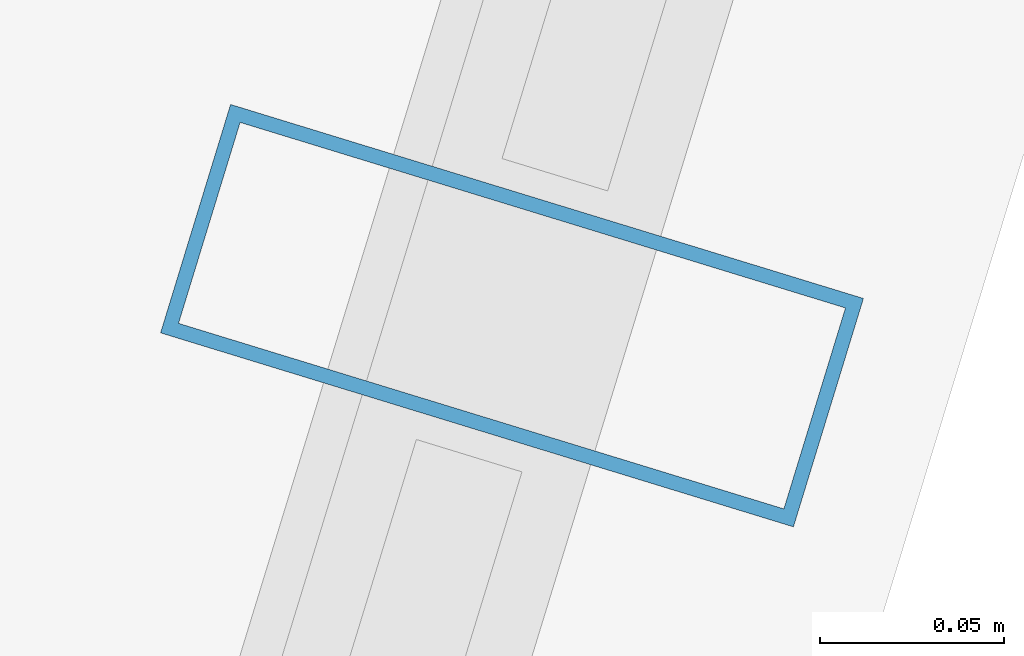
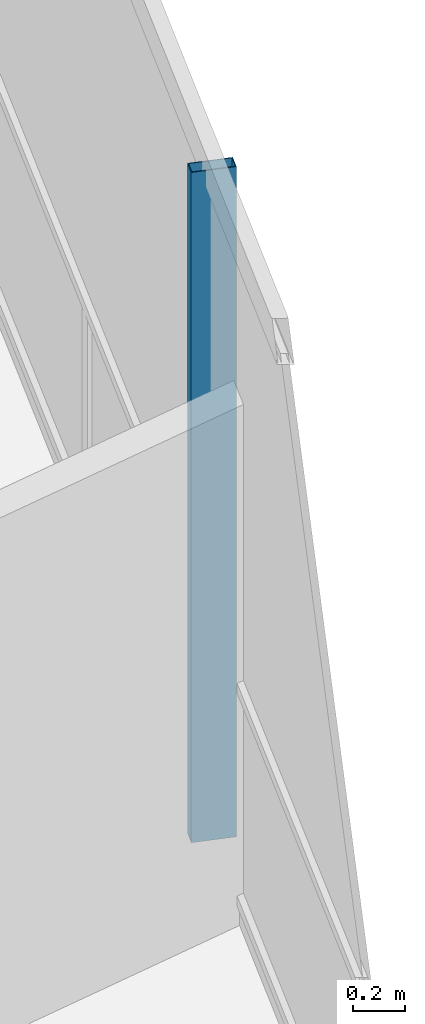
# One storey, part 10 of 23: 1 member, 1 element without a shape of its own.
"""IFC4 building model written with IfcOpenShell, lengths in metres."""

from ifc_helpers import new_model, si_unit, direction, frame, origin, origin_2d, place, context, subcontext, project, spatial, hollow_rectangle, extrude, material, layer, layer_set, material_profile, profile_set, type_object, element, aggregate, save


model = new_model("IFC4")

# Units and contexts
model_context = context("Model", 3, precision=1e-05, world=origin(), true_north=direction((0.0, 1.0)))
body_context = subcontext(model_context, "Body", "Model", "MODEL_VIEW")
ifc_project = project(units=[si_unit("LENGTHUNIT", "METRE"), si_unit("AREAUNIT", "SQUARE_METRE"), si_unit("VOLUMEUNIT", "CUBIC_METRE"), si_unit("PLANEANGLEUNIT", "RADIAN"), si_unit("MASSUNIT", "GRAM", prefix="KILO")], contexts=[model_context])

# Site, building, storey
site_placement = place(None, origin())
site = spatial("IfcSite", under=ifc_project, at=site_placement, CompositionType="ELEMENT")
building_placement = place(site_placement, origin())
building = spatial("IfcBuilding", under=site, at=building_placement, Name="Qarnah Convention Tower", CompositionType="ELEMENT")
storey_placement = place(building_placement, frame((0.0, 0.0, 114.300048828125)))
storey = spatial("IfcBuildingStorey", under=building, at=storey_placement, Name="L30", CompositionType="ELEMENT", Elevation=114.300048828125)

# Curtain wall, member
ifc_material_1 = material(Name="Tempered Low-E dark glass", Category="glass")
ifc_layer = layer(ifc_material_1, 0.169921875)
ifc_layer_set = layer_set([ifc_layer], Name="Tempered Low-E dark glass")
curtain_wall_type = type_object("IfcCurtainWallType", Name="CWS-02", PredefinedType="NOTDEFINED", material=ifc_layer_set)
curtain_wall_placement = place(storey_placement, origin())
curtain_wall = element("IfcCurtainWall", 1, at=curtain_wall_placement, inside=storey, type_object=curtain_wall_type, Name="L30 unitised curtain wall CW-L30-F2", PredefinedType="NOTDEFINED")
ifc_material_2 = material(Name="Black anodised aluminium", Category="aluminium")
ifc_material_profile = material_profile(ifc_material_2, hollow_rectangle(XDim=0.06494140625, YDim=0.179931640625, WallThickness=0.00390625, at=origin_2d()), Name="MUL-65X180")
ifc_profile_set = profile_set([ifc_material_profile], Name="Black anodised aluminium")
member_type = type_object("IfcMemberType", Name="MUL-T2", PredefinedType="MULLION", material=ifc_profile_set)
member_placement = place(storey_placement, frame((57.505615234375, 30.3212890625, 0.0), z_axis=(0.0, 0.0, 1.0), x_axis=(-0.293046001666, -0.956098342697, 0.0)))
member = element("IfcMember", 2, at=member_placement, type_object=member_type, Name="CW-L30-F2 mullion 2", PredefinedType="MULLION", context=body_context, shape_type="SweptSolid", body=[
    extrude(hollow_rectangle(XDim=0.06494140625, YDim=0.179931640625, WallThickness=0.00390625, at=origin_2d()), origin(), (0.0, 0.0, 1.0), 3.169921875),
])
aggregate(curtain_wall, [member])

save(model, "model.ifc")
